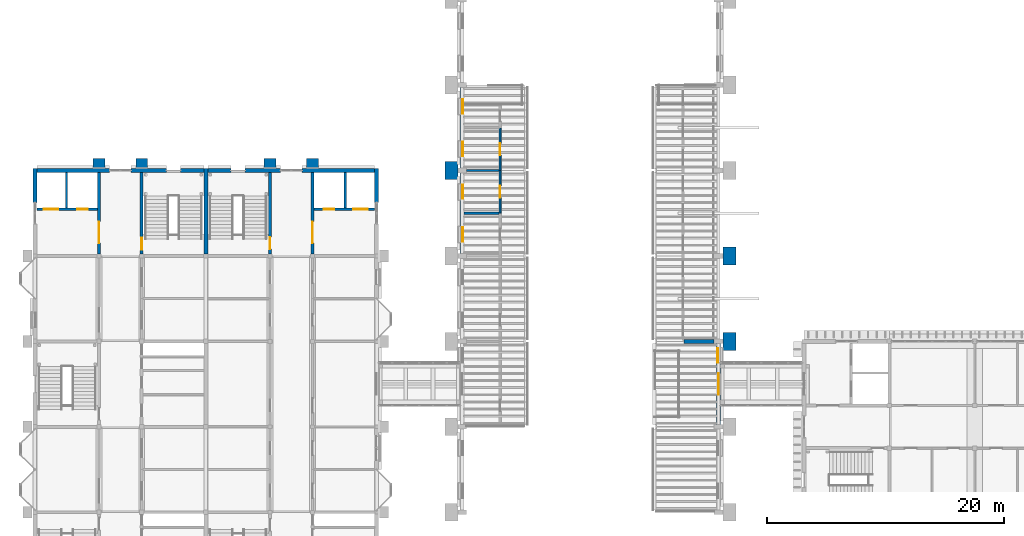
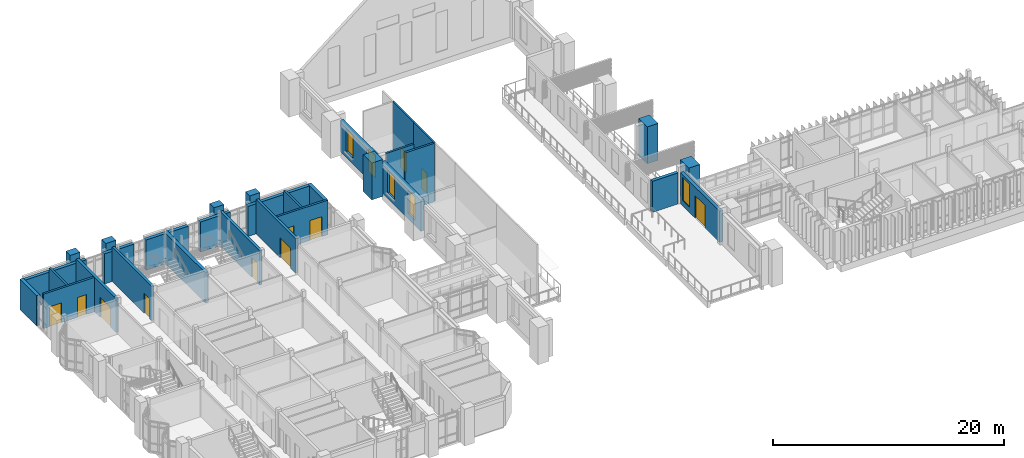
# One storey, part 42 of 69: 32 walls, 11 doors, 5 windows, 16 openings.
"""IFC4 building model written with IfcOpenShell, lengths in metres."""

from ifc_helpers import new_model, si_unit, direction, frame, frame_2d, origin, place, context, subcontext, project, spatial, rectangle, extrude, material, layer, layer_set, type_object, element, fill, save


model = new_model("IFC4")

# Units and contexts
model_context = context("Model", 3, precision=1e-05, world=origin(), true_north=direction((0.0, 1.0)))
body_context = subcontext(model_context, "Body", "Model", "MODEL_VIEW")
ifc_project = project(units=[si_unit("LENGTHUNIT", "METRE"), si_unit("AREAUNIT", "SQUARE_METRE"), si_unit("VOLUMEUNIT", "CUBIC_METRE"), si_unit("PLANEANGLEUNIT", "RADIAN"), si_unit("MASSUNIT", "GRAM", prefix="KILO")], contexts=[model_context])

# Site, building, storey
site_placement = place(None, origin())
site = spatial("IfcSite", under=ifc_project, at=site_placement, CompositionType="ELEMENT")
building_placement = place(site_placement, origin())
building = spatial("IfcBuilding", under=site, at=building_placement, Name="Mazhai Court Health Centre", CompositionType="ELEMENT")
storey_placement = place(building_placement, frame((0.0, 0.0, 6.300048828125)))
storey = spatial("IfcBuildingStorey", under=building, at=storey_placement, Name="L01", CompositionType="ELEMENT", Elevation=6.300048828125)

# Walls
ifc_material_1 = material(Name="Clay brick masonry", Category="masonry")
ifc_layer_1 = layer(ifc_material_1, 1.10009765625)
ifc_layer_set_1 = layer_set([ifc_layer_1], Name="BRICK BUTTRESS PIER 1100")
wall_type_1 = type_object("IfcWallType", Name="BRICK BUTTRESS PIER 1100", PredefinedType="SOLIDWALL", material=ifc_layer_set_1)
for number, where, z_axis, x_axis, name in (
    (1, (41.2900390625, 41.449951171875, 0.0), (0.0, 0.0, 1.0), (0.0, 1.0, 0.0), "EP-V1-L01-W4"),
    (2, (64.7099609375, 28.550048828125, 0.0), (0.0, 0.0, 1.0), (0.0, -1.0, 0.0), "EP-V1-L01-E2"),
    (3, (64.7099609375, 35.75, 0.0), (0.0, 0.0, 1.0), (0.0, -1.0, 0.0), "EP-V1-L01-E3"),
):
    element("IfcWall", number, at=place(storey_placement, frame(where, z_axis=z_axis, x_axis=x_axis)), inside=storey, type_object=wall_type_1, Name=name, PredefinedType="SOLIDWALL", context=body_context, shape_type="SweptSolid", body=[
        extrude(rectangle(XDim=1.5, YDim=1.10009765625, at=frame_2d((0.75, 0.0))), origin(), (0.0, 0.0, 1.0), 3.89990234375),
    ])
ifc_material_2 = material(Name="Clay brick masonry", Category="masonry")
ifc_layer_2 = layer(ifc_material_2, 0.75)
ifc_layer_set_2 = layer_set([ifc_layer_2], Name="BRICK PIER 750")
wall_type_2 = type_object("IfcWallType", Name="BRICK PIER 750", PredefinedType="SOLIDWALL", material=ifc_layer_set_2)
for number, where, z_axis, x_axis, name in (
    (4, (11.10009765625, 42.824951171875, 0.0), (0.0, 0.0, 1.0), (1.0, 0.0, 0.0), "EP-V2-L01-E54"),
    (5, (14.699951171875, 42.824951171875, 0.0), (0.0, 0.0, 1.0), (1.0, 0.0, 0.0), "EP-V2-L01-E90"),
    (6, (25.5, 42.824951171875, 0.0), (0.0, 0.0, 1.0), (1.0, 0.0, 0.0), "EP-V5-L01-E54"),
    (7, (29.10009765625, 42.824951171875, 0.0), (0.0, 0.0, 1.0), (1.0, 0.0, 0.0), "EP-V5-L01-E90"),
):
    element("IfcWall", number, at=place(storey_placement, frame(where, z_axis=z_axis, x_axis=x_axis)), inside=storey, type_object=wall_type_2, Name=name, PredefinedType="SOLIDWALL", context=body_context, shape_type="SweptSolid", body=[
        extrude(rectangle(XDim=1.0, YDim=0.75, at=frame_2d((0.5, 0.0))), origin(), (0.0, 0.0, 1.0), 3.89990234375),
    ])
ifc_material_3 = material(Name="Clay brick masonry", Category="masonry")
ifc_layer_3 = layer(ifc_material_3, 0.330078125)
ifc_layer_set_3 = layer_set([ifc_layer_3], Name="BRICK WALL 330 EXTERNAL")
wall_type_3 = type_object("IfcWallType", Name="BRICK WALL 330 EXTERNAL", PredefinedType="SOLIDWALL", material=ifc_layer_set_3)
wall_1_placement = place(storey_placement, frame((6.199951171875, 39.5, 0.0), z_axis=(0.0, 0.0, 1.0), x_axis=(0.0, 1.0, 0.0)))
element("IfcWall", 8, at=wall_1_placement, inside=storey, type_object=wall_type_3, Name="EW-V2-L01-A4b", PredefinedType="SOLIDWALL", context=body_context, shape_type="SweptSolid", body=[
    extrude(rectangle(XDim=2.864990234375, YDim=0.330078125, at=frame_2d((1.4326171875, 0.0))), origin(), (0.0, 0.0, 1.0), 3.219970703125),
])
wall_2_placement = place(storey_placement, frame((6.364990234375, 42.199951171875, 0.0), z_axis=(0.0, 0.0, 1.0), x_axis=(1.0, 0.0, 0.0)))
element("IfcWall", 9, at=wall_2_placement, inside=storey, type_object=wall_type_3, Name="EW-V2-L01-Ep0", PredefinedType="SOLIDWALL", context=body_context, shape_type="SweptSolid", body=[
    extrude(rectangle(XDim=6.135009765625, YDim=0.330078125, at=frame_2d((3.0673828125, 0.0))), origin(), (0.0, 0.0, 1.0), 3.199951171875),
])
wall_3_placement = place(storey_placement, frame((14.300048828125, 42.199951171875, 0.0), z_axis=(0.0, 0.0, 1.0), x_axis=(1.0, 0.0, 0.0)))
element("IfcWall", 10, at=wall_3_placement, inside=storey, type_object=wall_type_3, Name="EW-V2-L01-Ep1", PredefinedType="SOLIDWALL", context=body_context, shape_type="SweptSolid", body=[
    extrude(rectangle(XDim=2.97998046875, YDim=0.330078125, at=frame_2d((1.489990234375, 0.0))), origin(), (0.0, 0.0, 1.0), 3.199951171875),
])
wall_4_placement = place(storey_placement, frame((18.47998046875, 42.199951171875, 0.0), z_axis=(0.0, 0.0, 1.0), x_axis=(1.0, 0.0, 0.0)))
element("IfcWall", 11, at=wall_4_placement, inside=storey, type_object=wall_type_3, Name="EW-V2-L01-Ep2", PredefinedType="SOLIDWALL", context=body_context, shape_type="SweptSolid", body=[
    extrude(rectangle(XDim=1.955078125, YDim=0.330078125, at=frame_2d((0.9775390625, 0.0))), origin(), (0.0, 0.0, 1.0), 3.199951171875),
])
wall_5_placement = place(storey_placement, frame((35.0, 42.364990234375, 0.0), z_axis=(0.0, 0.0, 1.0), x_axis=(0.0, -1.0, 0.0)))
element("IfcWall", 12, at=wall_5_placement, inside=storey, type_object=wall_type_3, Name="EW-V5-L01-B4b", PredefinedType="SOLIDWALL", context=body_context, shape_type="SweptSolid", body=[
    extrude(rectangle(XDim=2.864990234375, YDim=0.330078125, at=frame_2d((1.4326171875, 0.0))), origin(), (0.0, 0.0, 1.0), 3.219970703125),
])
wall_6_placement = place(storey_placement, frame((20.764892578125, 42.199951171875, 0.0), z_axis=(0.0, 0.0, 1.0), x_axis=(1.0, 0.0, 0.0)))
element("IfcWall", 13, at=wall_6_placement, inside=storey, type_object=wall_type_3, Name="EW-V5-L01-Ep0", PredefinedType="SOLIDWALL", context=body_context, shape_type="SweptSolid", body=[
    extrude(rectangle(XDim=1.955078125, YDim=0.330078125, at=frame_2d((0.9775390625, 0.0))), origin(), (0.0, 0.0, 1.0), 3.199951171875),
])
wall_7_placement = place(storey_placement, frame((23.919921875, 42.199951171875, 0.0), z_axis=(0.0, 0.0, 1.0), x_axis=(1.0, 0.0, 0.0)))
element("IfcWall", 14, at=wall_7_placement, inside=storey, type_object=wall_type_3, Name="EW-V5-L01-Ep1", PredefinedType="SOLIDWALL", context=body_context, shape_type="SweptSolid", body=[
    extrude(rectangle(XDim=2.97998046875, YDim=0.330078125, at=frame_2d((1.489990234375, 0.0))), origin(), (0.0, 0.0, 1.0), 3.199951171875),
])
wall_8_placement = place(storey_placement, frame((28.699951171875, 42.199951171875, 0.0), z_axis=(0.0, 0.0, 1.0), x_axis=(1.0, 0.0, 0.0)))
element("IfcWall", 15, at=wall_8_placement, inside=storey, type_object=wall_type_3, Name="EW-V5-L01-Ep2", PredefinedType="SOLIDWALL", context=body_context, shape_type="SweptSolid", body=[
    extrude(rectangle(XDim=6.135009765625, YDim=0.330078125, at=frame_2d((3.0673828125, 0.0))), origin(), (0.0, 0.0, 1.0), 3.199951171875),
])

# Wall, openings, windows
wall_9_placement = place(storey_placement, frame((42.199951171875, 35.199951171875, 0.0), z_axis=(0.0, 0.0, 1.0), x_axis=(0.0, 1.0, 0.0)))
wall_9 = element("IfcWall", 16, at=wall_9_placement, inside=storey, type_object=wall_type_3, Name="EW-V1-L01-W3", PredefinedType="SOLIDWALL", context=body_context, shape_type="SweptSolid", body=[
    extrude(rectangle(XDim=6.800048828125, YDim=0.330078125, at=frame_2d((3.39990234375, 0.0))), origin(), (0.0, 0.0, 1.0), 3.300048828125),
])
opening_1_placement = place(wall_9_placement, frame((1.0, 0.0, 0.60009765625)))
opening_1 = element("IfcOpeningElement", 17, at=opening_1_placement, cuts=wall_9, Name="Opening W2", PredefinedType="OPENING", context=body_context, shape_type="SweptSolid", body=[
    extrude(rectangle(XDim=1.199951171875, YDim=2.39990234375, at=frame_2d((0.60009765625, 1.199951171875))), frame((0.0, 0.175048828125, 0.0), z_axis=(0.0, -1.0, 0.0), x_axis=(1.0, 0.0, 0.0)), (0.0, 0.0, 1.0), 0.35009765625),
])
opening_2_placement = place(wall_9_placement, frame((4.60009765625, 0.0, 0.60009765625)))
opening_2 = element("IfcOpeningElement", 18, at=opening_2_placement, cuts=wall_9, Name="Opening W2", PredefinedType="OPENING", context=body_context, shape_type="SweptSolid", body=[
    extrude(rectangle(XDim=1.199951171875, YDim=2.39990234375, at=frame_2d((0.60009765625, 1.199951171875))), frame((0.0, 0.175048828125, 0.0), z_axis=(0.0, -1.0, 0.0), x_axis=(1.0, 0.0, 0.0)), (0.0, 0.0, 1.0), 0.35009765625),
])
ifc_material_4 = material(Name="Teak timber frame, glazed", Category="wood")
window_type = type_object("IfcWindowType", Name="WINDOW TALL PIER 1200x2400", PartitioningType="SINGLE_PANEL", PredefinedType="WINDOW", material=ifc_material_4)
window_1_placement = place(opening_1_placement, origin())
window_1 = element("IfcWindow", 19, at=window_1_placement, inside=storey, type_object=window_type, Name="W2 WN-V1-L01-W3a", OverallHeight=2.39990234375, OverallWidth=1.199951171875, PartitioningType="SINGLE_PANEL", PredefinedType="WINDOW", context=body_context, shape_type="SweptSolid", body=[
    extrude(rectangle(XDim=1.199951171875, YDim=2.39990234375, at=frame_2d((0.60009765625, 1.199951171875))), frame((0.0, -0.030029296875, 0.0), z_axis=(0.0, -1.0, 0.0), x_axis=(1.0, 0.0, 0.0)), (0.0, 0.0, 1.0), 0.06005859375),
])
fill(opening_1, window_1)
window_2_placement = place(opening_2_placement, origin())
window_2 = element("IfcWindow", 20, at=window_2_placement, inside=storey, type_object=window_type, Name="W2 WN-V1-L01-W3b", OverallHeight=2.39990234375, OverallWidth=1.199951171875, PartitioningType="SINGLE_PANEL", PredefinedType="WINDOW", context=body_context, shape_type="SweptSolid", body=[
    extrude(rectangle(XDim=1.199951171875, YDim=2.39990234375, at=frame_2d((0.60009765625, 1.199951171875))), frame((0.0, -0.030029296875, 0.0), z_axis=(0.0, -1.0, 0.0), x_axis=(1.0, 0.0, 0.0)), (0.0, 0.0, 1.0), 0.06005859375),
])
fill(opening_2, window_2)

wall_10_placement = place(storey_placement, frame((42.199951171875, 42.39990234375, 0.0), z_axis=(0.0, 0.0, 1.0), x_axis=(0.0, 1.0, 0.0)))
wall_10 = element("IfcWall", 21, at=wall_10_placement, inside=storey, type_object=wall_type_3, Name="EW-V1-L01-W4", PredefinedType="SOLIDWALL", context=body_context, shape_type="SweptSolid", body=[
    extrude(rectangle(XDim=6.800048828125, YDim=0.330078125, at=frame_2d((3.39990234375, 0.0))), origin(), (0.0, 0.0, 1.0), 3.300048828125),
])
opening_3_placement = place(wall_10_placement, frame((1.0, 0.0, 0.60009765625)))
opening_3 = element("IfcOpeningElement", 22, at=opening_3_placement, cuts=wall_10, Name="Opening W2", PredefinedType="OPENING", context=body_context, shape_type="SweptSolid", body=[
    extrude(rectangle(XDim=1.199951171875, YDim=2.39990234375, at=frame_2d((0.60009765625, 1.199951171875))), frame((0.0, 0.175048828125, 0.0), z_axis=(0.0, -1.0, 0.0), x_axis=(1.0, 0.0, 0.0)), (0.0, 0.0, 1.0), 0.35009765625),
])
opening_4_placement = place(wall_10_placement, frame((4.60009765625, 0.0, 0.60009765625)))
opening_4 = element("IfcOpeningElement", 23, at=opening_4_placement, cuts=wall_10, Name="Opening W2", PredefinedType="OPENING", context=body_context, shape_type="SweptSolid", body=[
    extrude(rectangle(XDim=1.199951171875, YDim=2.39990234375, at=frame_2d((0.60009765625, 1.199951171875))), frame((0.0, 0.175048828125, 0.0), z_axis=(0.0, -1.0, 0.0), x_axis=(1.0, 0.0, 0.0)), (0.0, 0.0, 1.0), 0.35009765625),
])
window_3_placement = place(opening_3_placement, origin())
window_3 = element("IfcWindow", 24, at=window_3_placement, inside=storey, type_object=window_type, Name="W2 WN-V1-L01-W4a", OverallHeight=2.39990234375, OverallWidth=1.199951171875, PartitioningType="SINGLE_PANEL", PredefinedType="WINDOW", context=body_context, shape_type="SweptSolid", body=[
    extrude(rectangle(XDim=1.199951171875, YDim=2.39990234375, at=frame_2d((0.60009765625, 1.199951171875))), frame((0.0, -0.030029296875, 0.0), z_axis=(0.0, -1.0, 0.0), x_axis=(1.0, 0.0, 0.0)), (0.0, 0.0, 1.0), 0.06005859375),
])
fill(opening_3, window_3)
window_4_placement = place(opening_4_placement, origin())
window_4 = element("IfcWindow", 25, at=window_4_placement, inside=storey, type_object=window_type, Name="W2 WN-V1-L01-W4b", OverallHeight=2.39990234375, OverallWidth=1.199951171875, PartitioningType="SINGLE_PANEL", PredefinedType="WINDOW", context=body_context, shape_type="SweptSolid", body=[
    extrude(rectangle(XDim=1.199951171875, YDim=2.39990234375, at=frame_2d((0.60009765625, 1.199951171875))), frame((0.0, -0.030029296875, 0.0), z_axis=(0.0, -1.0, 0.0), x_axis=(1.0, 0.0, 0.0)), (0.0, 0.0, 1.0), 0.06005859375),
])
fill(opening_4, window_4)

# Wall, openings, door, window
wall_11_placement = place(storey_placement, frame((63.800048828125, 27.60009765625, 0.0), z_axis=(0.0, 0.0, 1.0), x_axis=(0.0, -1.0, 0.0)))
wall_11 = element("IfcWall", 26, at=wall_11_placement, inside=storey, type_object=wall_type_3, Name="EW-V1-L01-E1", PredefinedType="SOLIDWALL", context=body_context, shape_type="SweptSolid", body=[
    extrude(rectangle(XDim=6.800048828125, YDim=0.330078125, at=frame_2d((3.39990234375, 0.0))), origin(), (0.0, 0.0, 1.0), 3.300048828125),
])
opening_5_placement = place(wall_11_placement, frame((2.5, 0.0, 0.0)))
opening_5 = element("IfcOpeningElement", 27, at=opening_5_placement, cuts=wall_11, Name="Opening D-L01-047", PredefinedType="OPENING", context=body_context, shape_type="SweptSolid", body=[
    extrude(rectangle(XDim=1.800048828125, YDim=2.39990234375, at=frame_2d((0.89990234375, 1.199951171875))), frame((0.0, 0.175048828125, 0.0), z_axis=(0.0, -1.0, 0.0), x_axis=(1.0, 0.0, 0.0)), (0.0, 0.0, 1.0), 0.35009765625),
])
opening_6_placement = place(wall_11_placement, frame((0.39990234375, 0.0, 0.60009765625)))
opening_6 = element("IfcOpeningElement", 28, at=opening_6_placement, cuts=wall_11, Name="Opening W2", PredefinedType="OPENING", context=body_context, shape_type="SweptSolid", body=[
    extrude(rectangle(XDim=1.199951171875, YDim=2.39990234375, at=frame_2d((0.60009765625, 1.199951171875))), frame((0.0, 0.175048828125, 0.0), z_axis=(0.0, -1.0, 0.0), x_axis=(1.0, 0.0, 0.0)), (0.0, 0.0, 1.0), 0.35009765625),
])
ifc_material_5 = material(Name="Teak timber door, glazed", Category="wood")
door_type_1 = type_object("IfcDoorType", Name="DOOR BRIDGE DOUBLE 1800x2400", OperationType="DOUBLE_DOOR_SINGLE_SWING", PredefinedType="DOOR", material=ifc_material_5)
door_1_placement = place(opening_5_placement, origin())
door_1 = element("IfcDoor", 29, at=door_1_placement, inside=storey, type_object=door_type_1, Name="L01-E04", OperationType="DOUBLE_DOOR_SINGLE_SWING", OverallHeight=2.39990234375, OverallWidth=1.800048828125, PredefinedType="DOOR", context=body_context, shape_type="SweptSolid", body=[
    extrude(rectangle(XDim=1.800048828125, YDim=2.39990234375, at=frame_2d((0.89990234375, 1.199951171875))), frame((0.0, 0.02490234375, 0.0), z_axis=(0.0, -1.0, 0.0), x_axis=(1.0, 0.0, 0.0)), (0.0, 0.0, 1.0), 0.050048828125),
])
fill(opening_5, door_1)
window_5_placement = place(opening_6_placement, origin())
window_5 = element("IfcWindow", 30, at=window_5_placement, inside=storey, type_object=window_type, Name="W2 WN-V1-L01-E1x", OverallHeight=2.39990234375, OverallWidth=1.199951171875, PartitioningType="SINGLE_PANEL", PredefinedType="WINDOW", context=body_context, shape_type="SweptSolid", body=[
    extrude(rectangle(XDim=1.199951171875, YDim=2.39990234375, at=frame_2d((0.60009765625, 1.199951171875))), frame((0.0, -0.030029296875, 0.0), z_axis=(0.0, -1.0, 0.0), x_axis=(1.0, 0.0, 0.0)), (0.0, 0.0, 1.0), 0.06005859375),
])
fill(opening_6, window_5)

# Walls
wall_12_placement = place(storey_placement, frame((60.875, 27.800048828125, 0.0), z_axis=(0.0, 0.0, 1.0), x_axis=(1.0, 0.0, 0.0)))
element("IfcWall", 31, at=wall_12_placement, inside=storey, type_object=wall_type_3, Name="EW-V1-L01-LC27", PredefinedType="SOLIDWALL", context=body_context, shape_type="SweptSolid", body=[
    extrude(rectangle(XDim=2.56494140625, YDim=0.330078125, at=frame_2d((1.282470703125, 0.0))), origin(), (0.0, 0.0, 1.0), 3.300048828125),
])
ifc_material_6 = material(Name="Clay brick masonry", Category="masonry")
ifc_layer_4 = layer(ifc_material_6, 0.330078125)
ifc_layer_set_4 = layer_set([ifc_layer_4], Name="BRICK WALL 330 INTERNAL")
wall_type_4 = type_object("IfcWallType", Name="BRICK WALL 330 INTERNAL", PredefinedType="SOLIDWALL", material=ifc_layer_set_4)
wall_13_placement = place(storey_placement, frame((20.60009765625, 42.364990234375, 0.0), z_axis=(0.0, 0.0, 1.0), x_axis=(0.0, -1.0, 0.0)))
element("IfcWall", 32, at=wall_13_placement, inside=storey, type_object=wall_type_4, Name="EW-V2-L01-B4", PredefinedType="SOLIDWALL", context=body_context, shape_type="SweptSolid", body=[
    extrude(rectangle(XDim=7.18505859375, YDim=0.330078125, at=frame_2d((3.592529296875, 0.0))), origin(), (0.0, 0.0, 1.0), 3.219970703125),
])

# Wall, opening, door
ifc_material_7 = material(Name="Gypsum plasterboard partition")
ifc_layer_5 = layer(ifc_material_7, 0.14990234375)
ifc_layer_set_5 = layer_set([ifc_layer_5], Name="PARTITION 150 CORRIDOR EI60")
wall_type_5 = type_object("IfcWallType", Name="PARTITION 150 CORRIDOR EI60", PredefinedType="PARTITIONING", material=ifc_layer_set_5)
wall_14_placement = place(storey_placement, frame((45.39990234375, 38.60009765625, 0.0), z_axis=(0.0, 0.0, 1.0), x_axis=(0.0, 1.0, 0.0)))
wall_14 = element("IfcWall", 33, at=wall_14_placement, inside=storey, type_object=wall_type_5, Name="wall-V1-L01-W-corr-3a", PredefinedType="PARTITIONING", context=body_context, shape_type="SweptSolid", body=[
    extrude(rectangle(XDim=3.599853515625, YDim=0.14990234375, at=frame_2d((1.7998046875, 0.0))), origin(), (0.0, 0.0, 1.0), 6.200927734375),
])
opening_7_placement = place(wall_14_placement, frame((1.300048828125, 0.0, 0.0)))
opening_7 = element("IfcOpeningElement", 34, at=opening_7_placement, cuts=wall_14, Name="Opening D-L01-041", PredefinedType="OPENING", context=body_context, shape_type="SweptSolid", body=[
    extrude(rectangle(XDim=1.0, YDim=2.10009765625, at=frame_2d((0.5, 1.050048828125))), frame((0.0, 0.0849609375, 0.0), z_axis=(0.0, -1.0, 0.0), x_axis=(1.0, 0.0, 0.0)), (0.0, 0.0, 1.0), 0.169921875),
])
ifc_material_8 = material(Name="Hardwood door leaf", Category="wood")
door_type_2 = type_object("IfcDoorType", Name="DOOR 1000x2100 FD30S SINGLE", OperationType="NOTDEFINED", PredefinedType="DOOR", material=ifc_material_8)
door_2_placement = place(opening_7_placement, origin())
door_2 = element("IfcDoor", 35, at=door_2_placement, inside=storey, type_object=door_type_2, Name="door-V1-L01-W-counselling-room-2", OperationType="SINGLE_SWING_RIGHT", OverallHeight=2.10009765625, OverallWidth=1.0, PredefinedType="DOOR", context=body_context, shape_type="SweptSolid", body=[
    extrude(rectangle(XDim=1.0, YDim=2.10009765625, at=frame_2d((0.5, 1.050048828125))), frame((0.0, 0.02490234375, 0.0), z_axis=(0.0, -1.0, 0.0), x_axis=(1.0, 0.0, 0.0)), (0.0, 0.0, 1.0), 0.050048828125),
])
fill(opening_7, door_2)

wall_15_placement = place(storey_placement, frame((45.39990234375, 42.199951171875, 0.0), z_axis=(0.0, 0.0, 1.0), x_axis=(0.0, 1.0, 0.0)))
wall_15 = element("IfcWall", 36, at=wall_15_placement, inside=storey, type_object=wall_type_5, Name="wall-V1-L01-W-corr-4a", PredefinedType="PARTITIONING", context=body_context, shape_type="SweptSolid", body=[
    extrude(rectangle(XDim=3.60009765625, YDim=0.14990234375, at=frame_2d((1.800048828125, 0.0))), origin(), (0.0, 0.0, 1.0), 6.200927734375),
])
opening_8_placement = place(wall_15_placement, frame((1.300048828125, 0.0, 0.0)))
opening_8 = element("IfcOpeningElement", 37, at=opening_8_placement, cuts=wall_15, Name="Opening D-L01-042", PredefinedType="OPENING", context=body_context, shape_type="SweptSolid", body=[
    extrude(rectangle(XDim=1.0, YDim=2.10009765625, at=frame_2d((0.5, 1.050048828125))), frame((0.0, 0.0849609375, 0.0), z_axis=(0.0, -1.0, 0.0), x_axis=(1.0, 0.0, 0.0)), (0.0, 0.0, 1.0), 0.169921875),
])
door_3_placement = place(opening_8_placement, origin())
door_3 = element("IfcDoor", 38, at=door_3_placement, inside=storey, type_object=door_type_2, Name="door-V1-L01-W-health-information-room", OperationType="SINGLE_SWING_LEFT", OverallHeight=2.10009765625, OverallWidth=1.0, PredefinedType="DOOR", context=body_context, shape_type="SweptSolid", body=[
    extrude(rectangle(XDim=1.0, YDim=2.10009765625, at=frame_2d((0.5, 1.050048828125))), frame((0.0, 0.02490234375, 0.0), z_axis=(0.0, -1.0, 0.0), x_axis=(1.0, 0.0, 0.0)), (0.0, 0.0, 1.0), 0.050048828125),
])
fill(opening_8, door_3)

# Walls
ifc_material_9 = material(Name="Gypsum plasterboard partition")
ifc_layer_6 = layer(ifc_material_9, 0.199951171875)
ifc_layer_set_6 = layer_set([ifc_layer_6], Name="PARTITION 200 ACOUSTIC EI30")
wall_type_6 = type_object("IfcWallType", Name="PARTITION 200 ACOUSTIC EI30", PredefinedType="PARTITIONING", material=ifc_layer_set_6)
wall_16_placement = place(storey_placement, frame((42.364990234375, 38.60009765625, 0.0), z_axis=(0.0, 0.0, 1.0), x_axis=(1.0, 0.0, 0.0)))
element("IfcWall", 39, at=wall_16_placement, inside=storey, type_object=wall_type_6, Name="wall-V1-L01-W-cross-3a", PredefinedType="PARTITIONING", context=body_context, shape_type="SweptSolid", body=[
    extrude(rectangle(XDim=2.9599609375, YDim=0.199951171875, at=frame_2d((1.47998046875, 0.0))), origin(), (0.0, 0.0, 1.0), 6.200927734375),
])
wall_17_placement = place(storey_placement, frame((42.56005859375, 42.199951171875, 0.0), z_axis=(0.0, 0.0, 1.0), x_axis=(1.0, 0.0, 0.0)))
element("IfcWall", 40, at=wall_17_placement, inside=storey, type_object=wall_type_6, Name="wall-V1-L01-W-cross-4a", PredefinedType="PARTITIONING", context=body_context, shape_type="SweptSolid", body=[
    extrude(rectangle(XDim=2.764892578125, YDim=0.199951171875, at=frame_2d((1.38232421875, 0.0))), origin(), (0.0, 0.0, 1.0), 3.89990234375),
])

# Wall, opening, door
ifc_material_10 = material(Name="Concrete M40", Category="concrete")
ifc_layer_7 = layer(ifc_material_10, 0.25)
ifc_layer_set_7 = layer_set([ifc_layer_7], Name="RC CORE WALL 250 M40")
wall_type_7 = type_object("IfcWallType", Name="RC CORE WALL 250 M40", PredefinedType="SHEAR", material=ifc_layer_set_7)
wall_18_placement = place(storey_placement, frame((15.199951171875, 35.179931640625, 0.0), z_axis=(0.0, 0.0, 1.0), x_axis=(0.0, 1.0, 0.0)))
wall_18 = element("IfcWall", 41, at=wall_18_placement, inside=storey, type_object=wall_type_7, Name="core-C3-w-stair-corr-L01", PredefinedType="SHEAR", context=body_context, shape_type="SweptSolid", body=[
    extrude(rectangle(XDim=6.85498046875, YDim=0.25, at=frame_2d((3.427490234375, 0.0))), origin(), (0.0, 0.0, 1.0), 3.64990234375),
])
opening_9_placement = place(wall_18_placement, frame((0.344970703125, 0.0, 0.0)))
opening_9 = element("IfcOpeningElement", 42, at=opening_9_placement, cuts=wall_18, Name="Opening D-L01-018", PredefinedType="OPENING", context=body_context, shape_type="SweptSolid", body=[
    extrude(rectangle(XDim=1.0, YDim=2.10009765625, at=frame_2d((0.5, 1.050048828125))), frame((0.0, 0.135009765625, 0.0), z_axis=(0.0, -1.0, 0.0), x_axis=(1.0, 0.0, 0.0)), (0.0, 0.0, 1.0), 0.27001953125),
])
ifc_material_11 = material(Name="Steel fire door leaf", Category="steel")
door_type_3 = type_object("IfcDoorType", Name="FD120S STAIR DOOR 1000x2100", OperationType="SINGLE_SWING_LEFT", PredefinedType="DOOR", material=ifc_material_11)
door_4_placement = place(opening_9_placement, origin())
door_4 = element("IfcDoor", 43, at=door_4_placement, inside=storey, type_object=door_type_3, Name="Stair 3 door L01", OperationType="SINGLE_SWING_LEFT", OverallHeight=2.10009765625, OverallWidth=1.0, PredefinedType="DOOR", context=body_context, shape_type="SweptSolid", body=[
    extrude(rectangle(XDim=1.0, YDim=2.10009765625, at=frame_2d((0.5, 1.050048828125))), frame((0.0, 0.02490234375, 0.0), z_axis=(0.0, -1.0, 0.0), x_axis=(1.0, 0.0, 0.0)), (0.0, 0.0, 1.0), 0.050048828125),
])
fill(opening_9, door_4)

wall_19_placement = place(storey_placement, frame((11.60009765625, 35.179931640625, 0.0), z_axis=(0.0, 0.0, 1.0), x_axis=(0.0, 1.0, 0.0)))
wall_19 = element("IfcWall", 44, at=wall_19_placement, inside=storey, type_object=wall_type_7, Name="core-C3-w-other-corr-L01", PredefinedType="SHEAR", context=body_context, shape_type="SweptSolid", body=[
    extrude(rectangle(XDim=6.85498046875, YDim=0.25, at=frame_2d((3.427490234375, 0.0))), origin(), (0.0, 0.0, 1.0), 3.64990234375),
])
opening_10_placement = place(wall_19_placement, frame((0.89990234375, 0.0, 0.0)))
opening_10 = element("IfcOpeningElement", 45, at=opening_10_placement, cuts=wall_19, Name="Opening D-L01-005", PredefinedType="OPENING", context=body_context, shape_type="SweptSolid", body=[
    extrude(rectangle(XDim=1.800048828125, YDim=2.10009765625, at=frame_2d((0.89990234375, 1.050048828125))), frame((0.0, 0.135009765625, 0.0), z_axis=(0.0, -1.0, 0.0), x_axis=(1.0, 0.0, 0.0)), (0.0, 0.0, 1.0), 0.27001953125),
])
ifc_material_12 = material(Name="Steel fire door leaf", Category="steel")
door_type_4 = type_object("IfcDoorType", Name="FD60S LIFT LOBBY DOOR 1800x2100", OperationType="DOUBLE_DOOR_SINGLE_SWING", PredefinedType="DOOR", material=ifc_material_12)
door_5_placement = place(opening_10_placement, origin())
door_5 = element("IfcDoor", 46, at=door_5_placement, inside=storey, type_object=door_type_4, Name="Lift lobby door L01", OperationType="DOUBLE_DOOR_SINGLE_SWING", OverallHeight=2.10009765625, OverallWidth=1.800048828125, PredefinedType="DOOR", context=body_context, shape_type="SweptSolid", body=[
    extrude(rectangle(XDim=1.800048828125, YDim=2.10009765625, at=frame_2d((0.89990234375, 1.050048828125))), frame((0.0, 0.02490234375, 0.0), z_axis=(0.0, -1.0, 0.0), x_axis=(1.0, 0.0, 0.0)), (0.0, 0.0, 1.0), 0.050048828125),
])
fill(opening_10, door_5)

wall_20_placement = place(storey_placement, frame((26.0, 35.159912109375, 0.0), z_axis=(0.0, 0.0, 1.0), x_axis=(0.0, 1.0, 0.0)))
wall_20 = element("IfcWall", 47, at=wall_20_placement, inside=storey, type_object=wall_type_7, Name="core-C5-w-stair-corr-L01", PredefinedType="SHEAR", context=body_context, shape_type="SweptSolid", body=[
    extrude(rectangle(XDim=6.875, YDim=0.25, at=frame_2d((3.4375, 0.0))), origin(), (0.0, 0.0, 1.0), 3.64990234375),
])
opening_11_placement = place(wall_20_placement, frame((0.4150390625, 0.0, 0.0)))
opening_11 = element("IfcOpeningElement", 48, at=opening_11_placement, cuts=wall_20, Name="Opening D-L01-025", PredefinedType="OPENING", context=body_context, shape_type="SweptSolid", body=[
    extrude(rectangle(XDim=1.0, YDim=2.10009765625, at=frame_2d((0.5, 1.050048828125))), frame((0.0, 0.135009765625, 0.0), z_axis=(0.0, -1.0, 0.0), x_axis=(1.0, 0.0, 0.0)), (0.0, 0.0, 1.0), 0.27001953125),
])
door_6_placement = place(opening_11_placement, origin())
door_6 = element("IfcDoor", 49, at=door_6_placement, inside=storey, type_object=door_type_3, Name="Stair 5 door L01", OperationType="SINGLE_SWING_LEFT", OverallHeight=2.10009765625, OverallWidth=1.0, PredefinedType="DOOR", context=body_context, shape_type="SweptSolid", body=[
    extrude(rectangle(XDim=1.0, YDim=2.10009765625, at=frame_2d((0.5, 1.050048828125))), frame((0.0, 0.02490234375, 0.0), z_axis=(0.0, -1.0, 0.0), x_axis=(1.0, 0.0, 0.0)), (0.0, 0.0, 1.0), 0.050048828125),
])
fill(opening_11, door_6)

wall_21_placement = place(storey_placement, frame((29.60009765625, 35.159912109375, 0.0), z_axis=(0.0, 0.0, 1.0), x_axis=(0.0, 1.0, 0.0)))
wall_21 = element("IfcWall", 50, at=wall_21_placement, inside=storey, type_object=wall_type_7, Name="core-C5-w-other-corr-L01", PredefinedType="SHEAR", context=body_context, shape_type="SweptSolid", body=[
    extrude(rectangle(XDim=6.875, YDim=0.25, at=frame_2d((3.4375, 0.0))), origin(), (0.0, 0.0, 1.0), 3.64990234375),
])
opening_12_placement = place(wall_21_placement, frame((0.919921875, 0.0, 0.0)))
opening_12 = element("IfcOpeningElement", 51, at=opening_12_placement, cuts=wall_21, Name="Opening D-L01-035", PredefinedType="OPENING", context=body_context, shape_type="SweptSolid", body=[
    extrude(rectangle(XDim=1.800048828125, YDim=2.10009765625, at=frame_2d((0.89990234375, 1.050048828125))), frame((0.0, 0.135009765625, 0.0), z_axis=(0.0, -1.0, 0.0), x_axis=(1.0, 0.0, 0.0)), (0.0, 0.0, 1.0), 0.27001953125),
])
door_7_placement = place(opening_12_placement, origin())
door_7 = element("IfcDoor", 52, at=door_7_placement, inside=storey, type_object=door_type_4, Name="Lift lobby door L01", OperationType="DOUBLE_DOOR_SINGLE_SWING", OverallHeight=2.10009765625, OverallWidth=1.800048828125, PredefinedType="DOOR", context=body_context, shape_type="SweptSolid", body=[
    extrude(rectangle(XDim=1.800048828125, YDim=2.10009765625, at=frame_2d((0.89990234375, 1.050048828125))), frame((0.0, 0.02490234375, 0.0), z_axis=(0.0, -1.0, 0.0), x_axis=(1.0, 0.0, 0.0)), (0.0, 0.0, 1.0), 0.050048828125),
])
fill(opening_12, door_7)

# Wall, openings, doors
ifc_material_13 = material(Name="Concrete M40", Category="concrete")
ifc_layer_8 = layer(ifc_material_13, 0.199951171875)
ifc_layer_set_8 = layer_set([ifc_layer_8], Name="RC SHAFT WALL 200 M40")
wall_type_8 = type_object("IfcWallType", Name="RC SHAFT WALL 200 M40", PredefinedType="SHEAR", material=ifc_layer_set_8)
wall_22_placement = place(storey_placement, frame((6.364990234375, 38.93505859375, 0.0), z_axis=(0.0, 0.0, 1.0), x_axis=(1.0, 0.0, 0.0)))
wall_22 = element("IfcWall", 53, at=wall_22_placement, inside=storey, type_object=wall_type_8, Name="core-C3-w-front-L01", PredefinedType="SHEAR", context=body_context, shape_type="SweptSolid", body=[
    extrude(rectangle(XDim=5.110107421875, YDim=0.199951171875, at=frame_2d((2.55517578125, 0.0))), origin(), (0.0, 0.0, 1.0), 3.64990234375),
])
opening_13_placement = place(wall_22_placement, frame((0.60009765625, 0.0, 0.0)))
opening_13 = element("IfcOpeningElement", 54, at=opening_13_placement, cuts=wall_22, Name="Opening LD1-L01", PredefinedType="OPENING", context=body_context, shape_type="SweptSolid", body=[
    extrude(rectangle(XDim=1.199951171875, YDim=2.10009765625, at=frame_2d((0.60009765625, 1.050048828125))), frame((0.0, 0.10986328125, 0.0), z_axis=(0.0, -1.0, 0.0), x_axis=(1.0, 0.0, 0.0)), (0.0, 0.0, 1.0), 0.219970703125),
])
opening_14_placement = place(wall_22_placement, frame((3.405029296875, 0.0, 0.0)))
opening_14 = element("IfcOpeningElement", 55, at=opening_14_placement, cuts=wall_22, Name="Opening LD2-L01", PredefinedType="OPENING", context=body_context, shape_type="SweptSolid", body=[
    extrude(rectangle(XDim=0.89990234375, YDim=2.10009765625, at=frame_2d((0.449951171875, 1.050048828125))), frame((0.0, 0.10986328125, 0.0), z_axis=(0.0, -1.0, 0.0), x_axis=(1.0, 0.0, 0.0)), (0.0, 0.0, 1.0), 0.219970703125),
])
ifc_material_14 = material(Name="Stainless steel lift door", Category="steel")
door_type_5 = type_object("IfcDoorType", Name="LIFT LANDING DOOR 1200x2100", OperationType="DOUBLE_DOOR_SLIDING", PredefinedType="DOOR", material=ifc_material_14)
door_8_placement = place(opening_13_placement, origin())
door_8 = element("IfcDoor", 56, at=door_8_placement, inside=storey, type_object=door_type_5, Name="Landing door LD1 L01", OperationType="DOUBLE_DOOR_SLIDING", OverallHeight=2.10009765625, OverallWidth=1.199951171875, PredefinedType="DOOR", context=body_context, shape_type="SweptSolid", body=[
    extrude(rectangle(XDim=1.199951171875, YDim=2.10009765625, at=frame_2d((0.60009765625, 1.050048828125))), frame((0.0, 0.02490234375, 0.0), z_axis=(0.0, -1.0, 0.0), x_axis=(1.0, 0.0, 0.0)), (0.0, 0.0, 1.0), 0.050048828125),
])
fill(opening_13, door_8)
ifc_material_15 = material(Name="Stainless steel lift door", Category="steel")
door_type_6 = type_object("IfcDoorType", Name="LIFT LANDING DOOR 900x2100", OperationType="DOUBLE_DOOR_SLIDING", PredefinedType="DOOR", material=ifc_material_15)
door_9_placement = place(opening_14_placement, origin())
door_9 = element("IfcDoor", 57, at=door_9_placement, inside=storey, type_object=door_type_6, Name="Landing door LD2 L01", OperationType="DOUBLE_DOOR_SLIDING", OverallHeight=2.10009765625, OverallWidth=0.89990234375, PredefinedType="DOOR", context=body_context, shape_type="SweptSolid", body=[
    extrude(rectangle(XDim=0.89990234375, YDim=2.10009765625, at=frame_2d((0.449951171875, 1.050048828125))), frame((0.0, 0.02490234375, 0.0), z_axis=(0.0, -1.0, 0.0), x_axis=(1.0, 0.0, 0.0)), (0.0, 0.0, 1.0), 0.050048828125),
])
fill(opening_14, door_9)

# Wall
wall_23_placement = place(storey_placement, frame((8.864990234375, 42.034912109375, 0.0), z_axis=(0.0, 0.0, 1.0), x_axis=(0.0, -1.0, 0.0)))
element("IfcWall", 58, at=wall_23_placement, inside=storey, type_object=wall_type_8, Name="core-C3-w-divider0-L01", PredefinedType="SHEAR", context=body_context, shape_type="SweptSolid", body=[
    extrude(rectangle(XDim=3.0, YDim=0.199951171875, at=frame_2d((1.5, 0.0))), origin(), (0.0, 0.0, 1.0), 3.64990234375),
])

# Wall, openings, doors
wall_24_placement = place(storey_placement, frame((29.72509765625, 38.93505859375, 0.0), z_axis=(0.0, 0.0, 1.0), x_axis=(1.0, 0.0, 0.0)))
wall_24 = element("IfcWall", 59, at=wall_24_placement, inside=storey, type_object=wall_type_8, Name="core-C5-w-front-L01", PredefinedType="SHEAR", context=body_context, shape_type="SweptSolid", body=[
    extrude(rectangle(XDim=5.10986328125, YDim=0.199951171875, at=frame_2d((2.554931640625, 0.0))), origin(), (0.0, 0.0, 1.0), 3.64990234375),
])
opening_15_placement = place(wall_24_placement, frame((3.31005859375, 0.0, 0.0)))
opening_15 = element("IfcOpeningElement", 60, at=opening_15_placement, cuts=wall_24, Name="Opening LD3-L01", PredefinedType="OPENING", context=body_context, shape_type="SweptSolid", body=[
    extrude(rectangle(XDim=1.199951171875, YDim=2.10009765625, at=frame_2d((0.60009765625, 1.050048828125))), frame((0.0, 0.10986328125, 0.0), z_axis=(0.0, -1.0, 0.0), x_axis=(1.0, 0.0, 0.0)), (0.0, 0.0, 1.0), 0.219970703125),
])
opening_16_placement = place(wall_24_placement, frame((0.804931640625, 0.0, 0.0)))
opening_16 = element("IfcOpeningElement", 61, at=opening_16_placement, cuts=wall_24, Name="Opening LD4-L01", PredefinedType="OPENING", context=body_context, shape_type="SweptSolid", body=[
    extrude(rectangle(XDim=0.89990234375, YDim=2.10009765625, at=frame_2d((0.449951171875, 1.050048828125))), frame((0.0, 0.10986328125, 0.0), z_axis=(0.0, -1.0, 0.0), x_axis=(1.0, 0.0, 0.0)), (0.0, 0.0, 1.0), 0.219970703125),
])
door_10_placement = place(opening_15_placement, origin())
door_10 = element("IfcDoor", 62, at=door_10_placement, inside=storey, type_object=door_type_5, Name="Landing door LD3 L01", OperationType="DOUBLE_DOOR_SLIDING", OverallHeight=2.10009765625, OverallWidth=1.199951171875, PredefinedType="DOOR", context=body_context, shape_type="SweptSolid", body=[
    extrude(rectangle(XDim=1.199951171875, YDim=2.10009765625, at=frame_2d((0.60009765625, 1.050048828125))), frame((0.0, 0.02490234375, 0.0), z_axis=(0.0, -1.0, 0.0), x_axis=(1.0, 0.0, 0.0)), (0.0, 0.0, 1.0), 0.050048828125),
])
fill(opening_15, door_10)
door_11_placement = place(opening_16_placement, origin())
door_11 = element("IfcDoor", 63, at=door_11_placement, inside=storey, type_object=door_type_6, Name="Landing door LD4 L01", OperationType="DOUBLE_DOOR_SLIDING", OverallHeight=2.10009765625, OverallWidth=0.89990234375, PredefinedType="DOOR", context=body_context, shape_type="SweptSolid", body=[
    extrude(rectangle(XDim=0.89990234375, YDim=2.10009765625, at=frame_2d((0.449951171875, 1.050048828125))), frame((0.0, 0.02490234375, 0.0), z_axis=(0.0, -1.0, 0.0), x_axis=(1.0, 0.0, 0.0)), (0.0, 0.0, 1.0), 0.050048828125),
])
fill(opening_16, door_11)

# Wall
wall_25_placement = place(storey_placement, frame((32.3349609375, 42.034912109375, 0.0), z_axis=(0.0, 0.0, 1.0), x_axis=(0.0, -1.0, 0.0)))
element("IfcWall", 64, at=wall_25_placement, inside=storey, type_object=wall_type_8, Name="core-C5-w-divider0-L01", PredefinedType="SHEAR", context=body_context, shape_type="SweptSolid", body=[
    extrude(rectangle(XDim=3.0, YDim=0.199951171875, at=frame_2d((1.5, 0.0))), origin(), (0.0, 0.0, 1.0), 3.64990234375),
])

save(model, "model.ifc")
